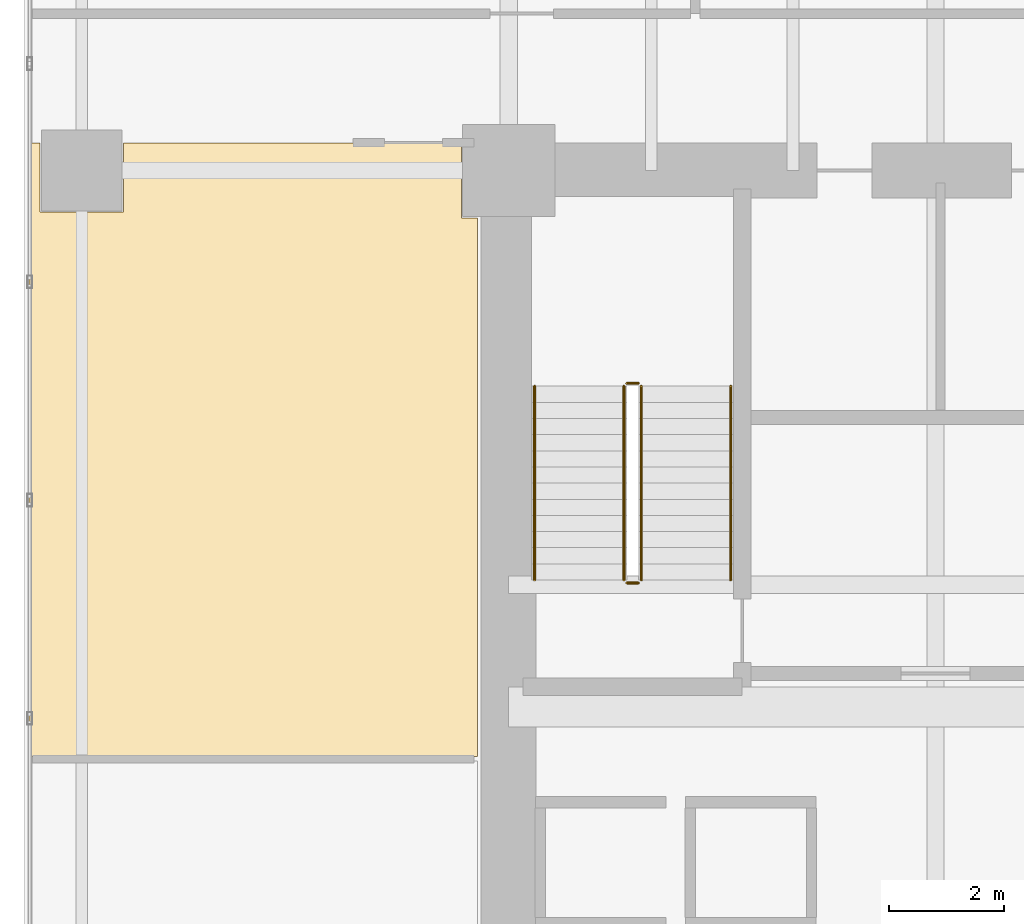
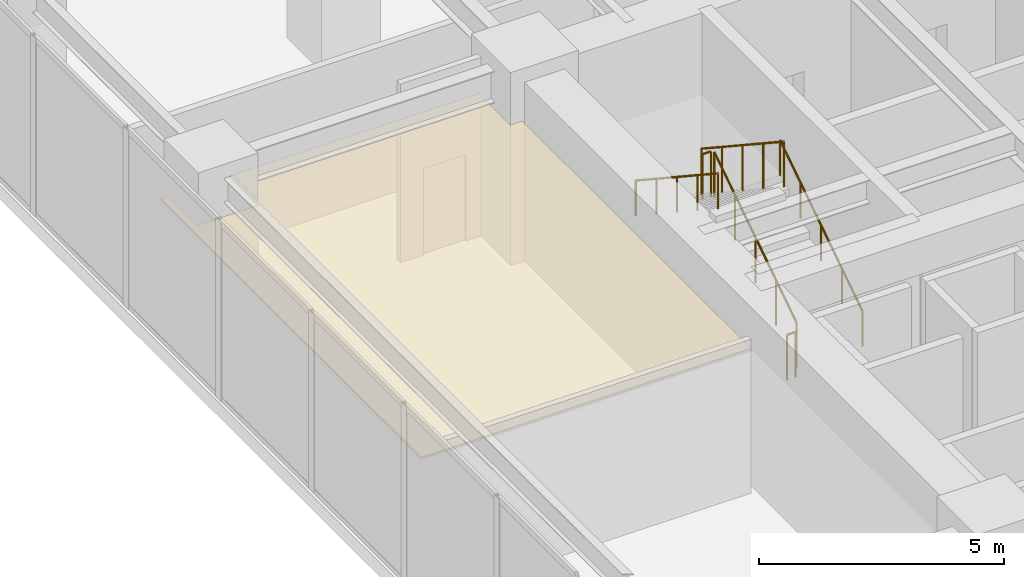
# One storey, part 30 of 33: 6 railings, 1 covering.
"""IFC4 building model written with IfcOpenShell, lengths in metres."""

from ifc_helpers import new_model, si_unit, direction, frame, origin, origin_2d, place, context, subcontext, project, spatial, polyline, circle, outline, extrude, source, transform, mapped, material, layer, layer_set, type_object, type_shapes, element, save


model = new_model("IFC4")

# Units and contexts
model_context = context("Model", 3, precision=1e-05, world=origin(), true_north=direction((0.0, 1.0)))
body_context = subcontext(model_context, "Body", "Model", "MODEL_VIEW")
ifc_project = project(units=[si_unit("LENGTHUNIT", "METRE"), si_unit("AREAUNIT", "SQUARE_METRE"), si_unit("VOLUMEUNIT", "CUBIC_METRE"), si_unit("PLANEANGLEUNIT", "RADIAN"), si_unit("MASSUNIT", "GRAM", prefix="KILO")], contexts=[model_context])

# Site, building, storey
site_placement = place(None, origin())
site = spatial("IfcSite", under=ifc_project, at=site_placement, CompositionType="ELEMENT")
building_placement = place(site_placement, origin())
building = spatial("IfcBuilding", under=site, at=building_placement, Name="Haelvirn Gate Laboratories", CompositionType="ELEMENT")
storey_placement = place(building_placement, frame((0.0, 0.0, 10.199951171875)))
storey = spatial("IfcBuildingStorey", under=building, at=storey_placement, Name="L03", CompositionType="ELEMENT", Elevation=10.199951171875)

# Covering
ifc_material_1 = material(Name="Washable cleanroom gasketed aluminium ceiling", Category="aluminium")
ifc_layer = layer(ifc_material_1, 0.050048828125, Name="COV-CEIL-CLN")
ifc_layer_set = layer_set([ifc_layer], Name="Washable cleanroom gasketed aluminium ceiling")
covering_type = type_object("IfcCoveringType", Name="COV-CEIL-CLN", PredefinedType="CEILING", material=ifc_layer_set)
covering_placement = place(storey_placement, frame((0.0, 0.0, 3.469970703125)))
element("IfcCovering", 1, at=covering_placement, inside=storey, type_object=covering_type, Name="L03 Laboratory Acoustic Ceiling CEIL-SP-L03-PODOUT-W-N", PredefinedType="CEILING", context=body_context, shape_type="SweptSolid", body=[
    extrude(outline(polyline([(6.580078125, 34.280029296875), (6.580078125, 32.97998046875), (6.860107421875, 32.97998046875), (6.860107421875, 23.639892578125), (-0.909912109375, 23.639892578125), (-0.909912109375, 34.280029296875), (-0.719970703125, 34.280029296875), (-0.719970703125, 33.080078125), (0.719970703125, 33.080078125), (0.719970703125, 34.280029296875), (6.580078125, 34.280029296875)])), origin(), (0.0, 0.0, 1.0), 0.050048828125),
])

# Railings
ifc_material_2 = material(Name="Galvanised steel SM355 & stainless top rail", Category="steel")
railing_type_1 = type_object("IfcRailingType", Name="RL-GUARD-1150", PredefinedType="GUARDRAIL", material=ifc_material_2)
shared_shape_1 = source(origin(), body_context, "Body", "SweptSolid", [
    extrude(circle(Radius=0.02392578125, at=origin_2d()), frame((0.0, 0.0, 1.1259765625), z_axis=(-1.0, 0.0, 0.0), x_axis=(0.0, -1.0, 0.0)), (0.0, 0.0, 1.0), 0.199951171875),
    extrude(circle(Radius=0.02099609375, at=origin_2d()), origin(), (0.0, 0.0, 1.0), 1.101806640625),
    extrude(circle(Radius=0.02099609375, at=origin_2d()), frame((-0.199951171875, 0.0, 0.0)), (0.0, 0.0, 1.0), 1.101806640625),
])
for number, where, name in (
    (2, (9.64990234375, 30.110107421875, 2.400146484375), "L03 ST1 stair guard 2"),
    (3, (9.64990234375, 26.64990234375, 0.0), "L03 ST1 stair guard 4"),
):
    element("IfcRailing", number, at=place(storey_placement, frame(where)), inside=storey, type_object=railing_type_1, Name=name, PredefinedType="GUARDRAIL", context=body_context, shape_type="MappedRepresentation", body=[
        mapped(shared_shape_1, transform((0.0, 0.0, 0.0), scale=1.0)),
    ])
shared_shape_2 = source(origin(), body_context, "Body", "SweptSolid", [
    extrude(circle(Radius=0.02392578125, at=origin_2d()), frame((0.0, 0.0, 1.1259765625), z_axis=(0.0, -0.834876476806, 0.550437342915), x_axis=(1.0, 0.0, 0.0)), (0.0, 0.0, 1.0), 4.024658203125),
    extrude(circle(Radius=0.02099609375, at=origin_2d()), origin(), (0.0, 0.0, 1.0), 1.101806640625),
    extrude(circle(Radius=0.02099609375, at=origin_2d()), frame((0.0, -0.840087890625, 0.5537109375)), (0.0, 0.0, 1.0), 1.101806640625),
    extrude(circle(Radius=0.02099609375, at=origin_2d()), frame((0.0, -1.68017578125, 1.107666015625)), (0.0, 0.0, 1.0), 1.101806640625),
    extrude(circle(Radius=0.02099609375, at=origin_2d()), frame((0.0, -2.52001953125, 1.66162109375)), (0.0, 0.0, 1.0), 1.101806640625),
    extrude(circle(Radius=0.02099609375, at=origin_2d()), frame((0.0, -3.360107421875, 2.21533203125)), (0.0, 0.0, 1.0), 1.101806640625),
])
railing_1_placement = place(storey_placement, frame((9.39990234375, 30.06005859375, 2.584716796875)))
element("IfcRailing", 4, at=railing_1_placement, inside=storey, type_object=railing_type_1, Name="L03 ST1 stair guard 3", PredefinedType="GUARDRAIL", context=body_context, shape_type="MappedRepresentation", body=[
    mapped(shared_shape_2, transform((0.0, 0.0, 0.0), scale=1.0)),
])
ifc_material_3 = material(Name="Brushed stainless steel 316L", Category="steel")
railing_type_2 = type_object("IfcRailingType", Name="RL-HAND-920", PredefinedType="HANDRAIL", material=ifc_material_3)
shared_shape_3 = source(origin(), body_context, "Body", "SweptSolid", [
    extrude(circle(Radius=0.02392578125, at=origin_2d()), frame((0.0, 0.0, 0.8759765625), z_axis=(0.0, -0.834876476806, 0.550437342915), x_axis=(1.0, 0.0, 0.0)), (0.0, 0.0, 1.0), 4.024658203125),
    extrude(circle(Radius=0.02099609375, at=origin_2d()), origin(), (0.0, 0.0, 1.0), 0.851806640625),
    extrude(circle(Radius=0.02099609375, at=origin_2d()), frame((0.0, -0.840087890625, 0.5537109375)), (0.0, 0.0, 1.0), 0.851806640625),
    extrude(circle(Radius=0.02099609375, at=origin_2d()), frame((0.0, -1.68017578125, 1.107666015625)), (0.0, 0.0, 1.0), 0.851806640625),
    extrude(circle(Radius=0.02099609375, at=origin_2d()), frame((0.0, -2.52001953125, 1.66162109375)), (0.0, 0.0, 1.0), 0.851806640625),
    extrude(circle(Radius=0.02099609375, at=origin_2d()), frame((0.0, -3.360107421875, 2.21533203125)), (0.0, 0.0, 1.0), 0.851806640625),
])
railing_2_placement = place(storey_placement, frame((7.85009765625, 30.06005859375, 2.584716796875)))
element("IfcRailing", 5, at=railing_2_placement, inside=storey, type_object=railing_type_2, Name="L03 ST1 stair handrail 2", PredefinedType="HANDRAIL", context=body_context, shape_type="MappedRepresentation", body=[
    mapped(shared_shape_3, transform((0.0, 0.0, 0.0), scale=1.0)),
])
shared_shape_4 = source(origin(), body_context, "Body", "SweptSolid", [
    extrude(circle(Radius=0.02392578125, at=origin_2d()), frame((0.0, 0.0, 1.1259765625), z_axis=(0.0, 0.834848600103, 0.550479622607), x_axis=(-1.0, 0.0, 0.0)), (0.0, 0.0, 1.0), 4.02490234375),
    extrude(circle(Radius=0.02099609375, at=origin_2d()), origin(), (0.0, 0.0, 1.0), 1.101806640625),
    extrude(circle(Radius=0.02099609375, at=origin_2d()), frame((0.0, 0.840087890625, 0.553955078125)), (0.0, 0.0, 1.0), 1.101806640625),
    extrude(circle(Radius=0.02099609375, at=origin_2d()), frame((0.0, 1.68017578125, 1.10791015625)), (0.0, 0.0, 1.0), 1.101806640625),
    extrude(circle(Radius=0.02099609375, at=origin_2d()), frame((0.0, 2.52001953125, 1.66162109375)), (0.0, 0.0, 1.0), 1.101806640625),
    extrude(circle(Radius=0.02099609375, at=origin_2d()), frame((0.0, 3.360107421875, 2.215576171875)), (0.0, 0.0, 1.0), 1.101806640625),
])
type_shapes(railing_type_1, [shared_shape_1, shared_shape_2, shared_shape_4])
railing_3_placement = place(storey_placement, frame((9.699951171875, 26.699951171875, 0.1845703125)))
element("IfcRailing", 6, at=railing_3_placement, inside=storey, type_object=railing_type_1, Name="L03 ST1 stair guard 1", PredefinedType="GUARDRAIL", context=body_context, shape_type="MappedRepresentation", body=[
    mapped(shared_shape_4, transform((0.0, 0.0, 0.0), scale=1.0)),
])
shared_shape_5 = source(origin(), body_context, "Body", "SweptSolid", [
    extrude(circle(Radius=0.02392578125, at=origin_2d()), frame((0.0, 0.0, 0.8759765625), z_axis=(0.0, 0.834848600103, 0.550479622607), x_axis=(-1.0, 0.0, 0.0)), (0.0, 0.0, 1.0), 4.02490234375),
    extrude(circle(Radius=0.02099609375, at=origin_2d()), origin(), (0.0, 0.0, 1.0), 0.851806640625),
    extrude(circle(Radius=0.02099609375, at=origin_2d()), frame((0.0, 0.840087890625, 0.553955078125)), (0.0, 0.0, 1.0), 0.851806640625),
    extrude(circle(Radius=0.02099609375, at=origin_2d()), frame((0.0, 1.68017578125, 1.10791015625)), (0.0, 0.0, 1.0), 0.851806640625),
    extrude(circle(Radius=0.02099609375, at=origin_2d()), frame((0.0, 2.52001953125, 1.66162109375)), (0.0, 0.0, 1.0), 0.851806640625),
    extrude(circle(Radius=0.02099609375, at=origin_2d()), frame((0.0, 3.360107421875, 2.215576171875)), (0.0, 0.0, 1.0), 0.851806640625),
])
type_shapes(railing_type_2, [shared_shape_3, shared_shape_5])
railing_4_placement = place(storey_placement, frame((11.25, 26.699951171875, 0.1845703125)))
element("IfcRailing", 7, at=railing_4_placement, inside=storey, type_object=railing_type_2, Name="L03 ST1 stair handrail 1", PredefinedType="HANDRAIL", context=body_context, shape_type="MappedRepresentation", body=[
    mapped(shared_shape_5, transform((0.0, 0.0, 0.0), scale=1.0)),
])

save(model, "model.ifc")
